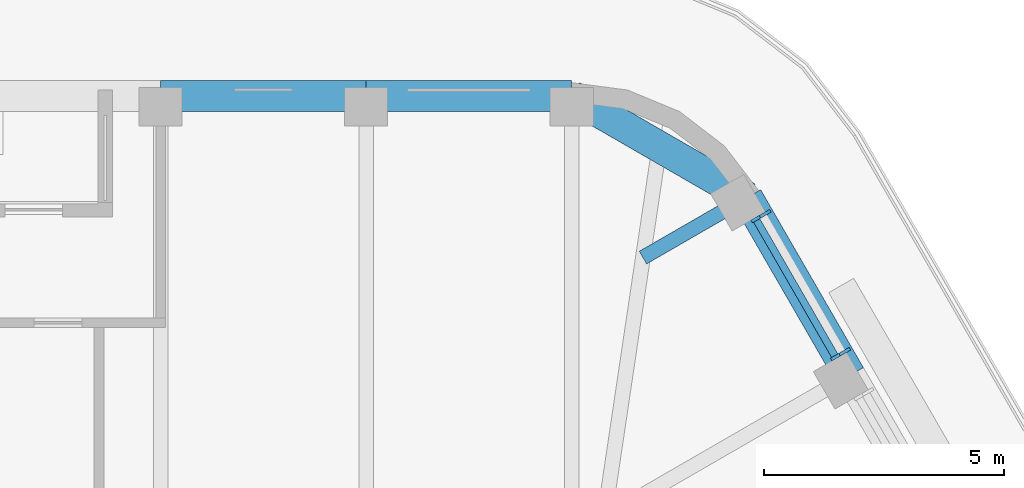
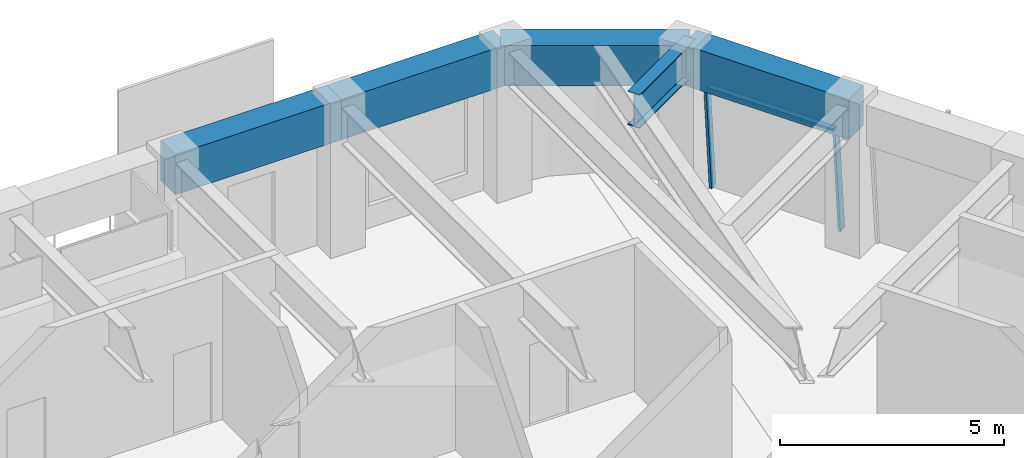
# One storey, part 11 of 19: 5 beams, 3 members, 1 element without a shape of its own.
"""IFC4 building model written with IfcOpenShell, lengths in metres."""

from ifc_helpers import new_model, si_unit, direction, frame, origin, origin_2d, place, context, subcontext, project, spatial, rectangle, i_section, extrude, material, material_profile, profile_set, type_object, element, aggregate, save


model = new_model("IFC4")

# Units and contexts
model_context = context("Model", 3, precision=1e-05, world=origin(), true_north=direction((0.0, 1.0)))
body_context = subcontext(model_context, "Body", "Model", "MODEL_VIEW")
ifc_project = project(units=[si_unit("LENGTHUNIT", "METRE"), si_unit("AREAUNIT", "SQUARE_METRE"), si_unit("VOLUMEUNIT", "CUBIC_METRE"), si_unit("PLANEANGLEUNIT", "RADIAN"), si_unit("MASSUNIT", "GRAM", prefix="KILO")], contexts=[model_context])

# Site, building, storey
site_placement = place(None, origin())
site = spatial("IfcSite", under=ifc_project, at=site_placement, CompositionType="ELEMENT")
building_placement = place(site_placement, origin())
building = spatial("IfcBuilding", under=site, at=building_placement, Name="Tarfa Lantern Tower", CompositionType="ELEMENT")
storey_placement = place(building_placement, frame((0.0, 0.0, 370.300048828125)))
storey = spatial("IfcBuildingStorey", under=building, at=storey_placement, Name="L84", CompositionType="ELEMENT", Elevation=370.300048828125)

# Curtain wall, members
ifc_material_1 = material(Name="Aluminium framed curtain wall", Category="aluminium")
curtain_wall_type = type_object("IfcCurtainWallType", Name="CW4 CANTED GLAZING EXECUTIVE ZONE 2900", PredefinedType="USERDEFINED", material=ifc_material_1)
curtain_wall_placement = place(storey_placement, origin())
curtain_wall = element("IfcCurtainWall", 1, at=curtain_wall_placement, inside=storey, type_object=curtain_wall_type, Name="CW4 NE L84", ObjectType="CURTAIN WALL", PredefinedType="USERDEFINED")
ifc_material_2 = material(Name="Aluminium mullion", Category="aluminium")
ifc_material_profile_1 = material_profile(ifc_material_2, rectangle(XDim=0.06494140625, YDim=0.199951171875, at=origin_2d()), Name="AL MULLION 65x200")
ifc_profile_set_1 = profile_set([ifc_material_profile_1], Name="Aluminium mullion")
member_type_1 = type_object("IfcMemberType", Name="CWM1 MULLION 65x200", PredefinedType="MULLION", material=ifc_profile_set_1)
member_1_placement = place(storey_placement, frame((18.556396484375, 21.159423828125, 0.0), z_axis=(-0.074399820079, -0.042945555672, 0.996303340364), x_axis=(0.499919672301, -0.866071776036, 0.0)))
member_1 = element("IfcMember", 2, at=member_1_placement, type_object=member_type_1, Name="CW4 mullion 1", PredefinedType="MULLION", context=body_context, shape_type="SweptSolid", body=[
    extrude(rectangle(XDim=0.06494140625, YDim=0.199951171875, at=origin_2d()), origin(), (0.0, 0.0, 1.0), 2.91064453125),
])
member_2_placement = place(storey_placement, frame((16.897705078125, 24.0322265625, 0.0), z_axis=(-0.074316405553, -0.042945823525, 0.996309554359), x_axis=(0.500342721131, -0.865827443207, 0.0)))
member_2 = element("IfcMember", 3, at=member_2_placement, type_object=member_type_1, Name="CW4 mullion 2", PredefinedType="MULLION", context=body_context, shape_type="SweptSolid", body=[
    extrude(rectangle(XDim=0.06494140625, YDim=0.199951171875, at=origin_2d()), origin(), (0.0, 0.0, 1.0), 2.91064453125),
])
ifc_material_3 = material(Name="Aluminium transom", Category="aluminium")
ifc_material_profile_2 = material_profile(ifc_material_3, rectangle(XDim=0.14990234375, YDim=0.06494140625, at=origin_2d()), Name="AL TRANSOM 150x65")
ifc_profile_set_2 = profile_set([ifc_material_profile_2], Name="Aluminium transom")
member_type_2 = type_object("IfcMemberType", Name="CWT1 TRANSOM 150x65", PredefinedType="USERDEFINED", material=ifc_profile_set_2)
member_3_placement = place(storey_placement, frame((18.325927734375, 21.06396484375, 2.867431640625), z_axis=(-0.499982393232, 0.866035568818, 0.0), x_axis=(-0.866035568818, -0.499982393232, 0.0)))
member_3 = element("IfcMember", 4, at=member_3_placement, type_object=member_type_2, Name="CW4 transom 1.2", ObjectType="TRANSOM", PredefinedType="USERDEFINED", context=body_context, shape_type="SweptSolid", body=[
    extrude(rectangle(XDim=0.14990234375, YDim=0.06494140625, at=origin_2d()), origin(), (0.0, 0.0, 1.0), 3.251953125),
])
aggregate(curtain_wall, [member_1, member_2, member_3])

# Beams
ifc_material_4 = material(Name="Concrete C80/95", Category="concrete")
ifc_material_profile_3 = material_profile(ifc_material_4, rectangle(XDim=0.64990234375, YDim=1.10009765625, at=origin_2d()), Name="RC 650x1100")
ifc_profile_set_3 = profile_set([ifc_material_profile_3], Name="Concrete C80/95")
beam_type_1 = type_object("IfcBeamType", Name="EB4 RC 650x1100", PredefinedType="SPANDREL", material=ifc_profile_set_3)
beam_1_placement = place(storey_placement, frame((18.6416015625, 20.651611328125, 3.449951171875), z_axis=(-0.499959351497, 0.866048870937, 0.0), x_axis=(-0.866048870937, -0.499959351497, 0.0)))
element("IfcBeam", 5, at=beam_1_placement, inside=storey, type_object=beam_type_1, Name="Edge beam NE5", PredefinedType="SPANDREL", context=body_context, shape_type="SweptSolid", body=[
    extrude(rectangle(XDim=0.64990234375, YDim=1.10009765625, at=origin_2d()), origin(), (0.0, 0.0, 1.0), 4.281982421875),
])
beam_2_placement = place(storey_placement, frame((16.500732421875, 24.360107421875, 3.449951171875), z_axis=(-0.866048788483, 0.499959494327, 0.0), x_axis=(-0.499959494327, -0.866048788483, 0.0)))
element("IfcBeam", 6, at=beam_2_placement, inside=storey, type_object=beam_type_1, Name="Edge beam NE6", PredefinedType="SPANDREL", context=body_context, shape_type="SweptSolid", body=[
    extrude(rectangle(XDim=0.64990234375, YDim=1.10009765625, at=origin_2d()), origin(), (0.0, 0.0, 1.0), 4.219970703125),
])
for number, where, z_axis, x_axis, name in (
    (7, (12.845947265625, 26.469970703125, 3.449951171875), (-1.0, 0.0, 0.0), (0.0, -1.0, 0.0), "Edge beam N0"),
    (8, (8.56396484375, 26.469970703125, 3.449951171875), (-1.0, 0.0, 0.0), (0.0, -1.0, 0.0), "Edge beam N1"),
):
    element("IfcBeam", number, at=place(storey_placement, frame(where, z_axis=z_axis, x_axis=x_axis)), inside=storey, type_object=beam_type_1, Name=name, PredefinedType="SPANDREL", context=body_context, shape_type="SweptSolid", body=[
        extrude(rectangle(XDim=0.64990234375, YDim=1.10009765625, at=origin_2d()), origin(), (0.0, 0.0, 1.0), 4.281982421875),
    ])
ifc_material_5 = material(Name="Steel S460M", Category="steel")
ifc_material_profile_4 = material_profile(ifc_material_5, i_section(OverallWidth=0.305419921875, OverallDepth=0.91845703125, WebThickness=0.017333984375, FlangeThickness=0.02783203125, FilletRadius=0.01904296875, at=origin_2d()), Name="UB914x305x253")
ifc_profile_set_4 = profile_set([ifc_material_profile_4], Name="Steel S460M")
beam_type_2 = type_object("IfcBeamType", Name="UB914x305x253", PredefinedType="BEAM", material=ifc_profile_set_4)
beam_3_placement = place(storey_placement, frame((16.500732421875, 24.360107421875, 3.540771484375), z_axis=(-0.865992557167, -0.500056887695, 0.0), x_axis=(0.500056887695, -0.865992557167, 0.0)))
element("IfcBeam", 9, at=beam_3_placement, inside=storey, type_object=beam_type_2, Name="Floor beam NE6", PredefinedType="BEAM", context=body_context, shape_type="SweptSolid", body=[
    extrude(i_section(OverallWidth=0.305419921875, OverallDepth=0.91845703125, WebThickness=0.017333984375, FlangeThickness=0.02783203125, FilletRadius=0.01904296875, at=origin_2d()), origin(), (0.0, 0.0, 1.0), 2.506591796875),
])

save(model, "model.ifc")
